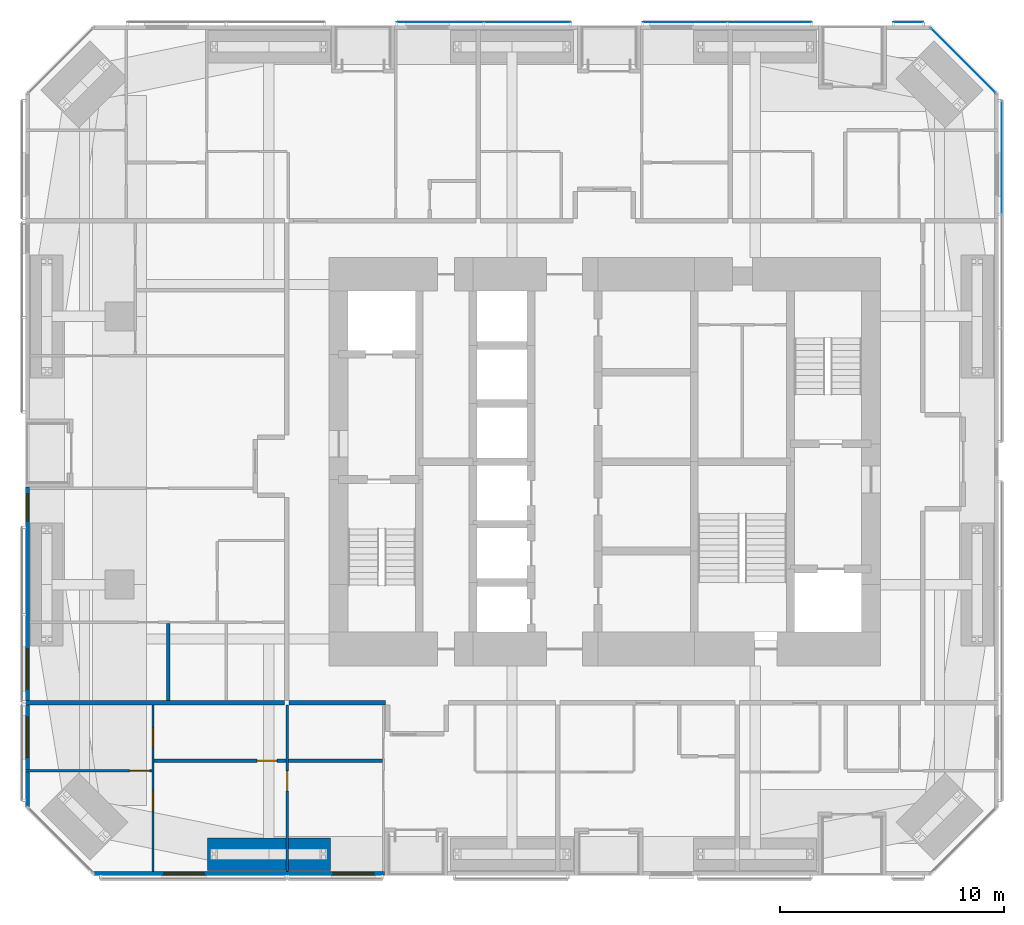
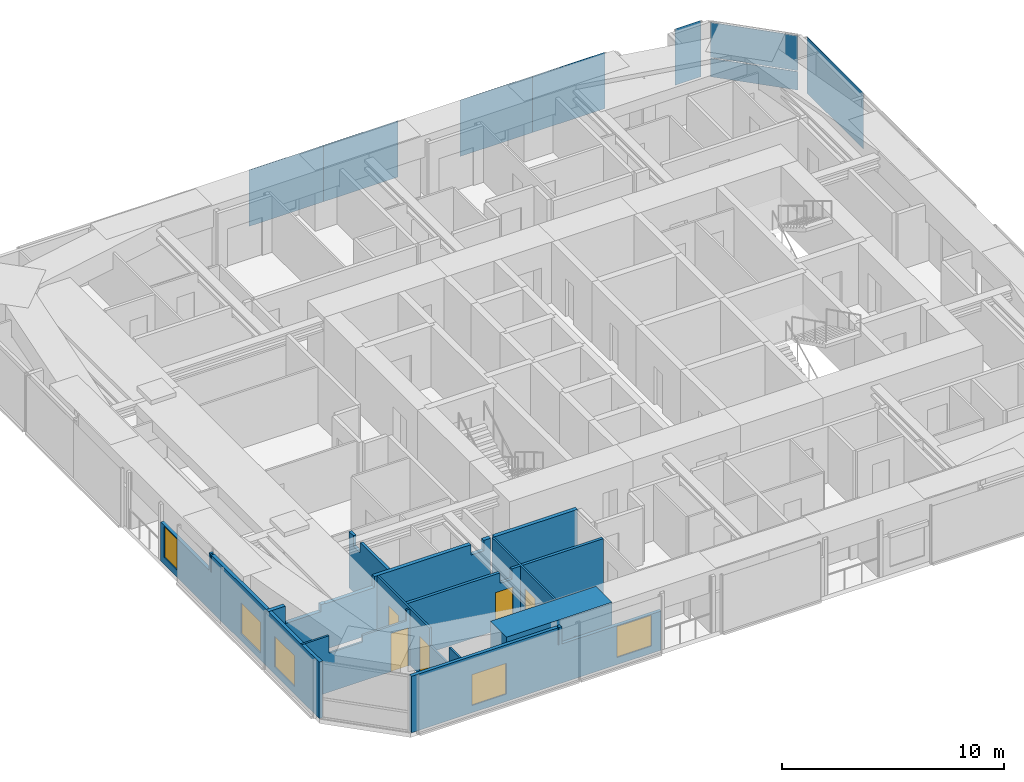
# One storey, part 16 of 24: 11 walls, 8 plates, 5 doors, 5 windows, 10 openings, 5 elements without a shape of their own.
"""IFC4 building model written with IfcOpenShell, lengths in metres."""

from ifc_helpers import new_model, si_unit, direction, frame, frame_2d, origin, origin_2d, place, context, subcontext, project, spatial, polyline, rectangle, outline, extrude, material, layer, layer_set, constituent, constituent_set, type_object, element, fill, aggregate, save


model = new_model("IFC4")

# Units and contexts
model_context = context("Model", 3, precision=1e-05, world=origin(), true_north=direction((0.0, 1.0)))
body_context = subcontext(model_context, "Body", "Model", "MODEL_VIEW")
ifc_project = project(units=[si_unit("LENGTHUNIT", "METRE"), si_unit("AREAUNIT", "SQUARE_METRE"), si_unit("VOLUMEUNIT", "CUBIC_METRE"), si_unit("PLANEANGLEUNIT", "RADIAN"), si_unit("MASSUNIT", "GRAM", prefix="KILO")], contexts=[model_context])

# Site, building, storey
site_placement = place(None, origin())
site = spatial("IfcSite", under=ifc_project, at=site_placement, CompositionType="ELEMENT")
building_placement = place(site_placement, origin())
building = spatial("IfcBuilding", under=site, at=building_placement, Name="Jalousie Tower", CompositionType="ELEMENT")
storey_placement = place(building_placement, frame((0.0, 0.0, 91.449951171875)))
storey = spatial("IfcBuildingStorey", under=building, at=storey_placement, Name="L24", CompositionType="ELEMENT", Elevation=91.449951171875)

# Curtain wall, plates
ifc_material_1 = material(Name="Aluminium curtain wall", Category="aluminium")
curtain_wall_type_1 = type_object("IfcCurtainWallType", Name="CORNER WINDOW WALL", PredefinedType="USERDEFINED", material=ifc_material_1)
curtain_wall_1_placement = place(storey_placement, origin())
curtain_wall_1 = element("IfcCurtainWall", 1, at=curtain_wall_1_placement, inside=storey, type_object=curtain_wall_type_1, Name="Corner Window Wall L24 4", ObjectType="CORNER WINDOW WALL", PredefinedType="USERDEFINED")
ifc_material_2 = material(Name="Laminated impact-rated spandrel glass", Category="glass")
ifc_layer_1 = layer(ifc_material_2, 0.028076171875)
ifc_layer_set_1 = layer_set([ifc_layer_1], Name="Laminated impact-rated spandrel glass")
plate_type_1 = type_object("IfcPlateType", Name="CORNER WINDOW WALL PANEL", PredefinedType="CURTAIN_PANEL", material=ifc_layer_set_1)
plate_1_placement = place(storey_placement, frame((47.9306640625, 36.4306640625, 0.06005859375), z_axis=(0.0, 0.0, 1.0), x_axis=(-0.707106781187, 0.707106781187, 0.0)))
plate_1 = element("IfcPlate", 2, at=plate_1_placement, type_object=plate_type_1, Name="CW-C panel 1.1", PredefinedType="CURTAIN_PANEL", context=body_context, shape_type="SweptSolid", body=[
    extrude(rectangle(XDim=4.071533203125, YDim=0.028076171875, at=origin_2d()), origin(), (0.0, 0.0, 1.0), 1.010009765625),
])
plate_2_placement = place(storey_placement, frame((47.9306640625, 36.4306640625, 1.130126953125), z_axis=(0.0, 0.0, 1.0), x_axis=(-0.707106781187, 0.707106781187, 0.0)))
plate_2 = element("IfcPlate", 3, at=plate_2_placement, type_object=plate_type_1, Name="CW-C panel 1.2", PredefinedType="CURTAIN_PANEL", context=body_context, shape_type="SweptSolid", body=[
    extrude(rectangle(XDim=4.071533203125, YDim=0.028076171875, at=origin_2d()), origin(), (0.0, 0.0, 1.0), 1.919921875),
])
aggregate(curtain_wall_1, [plate_1, plate_2])

# Curtain wall, plate
ifc_material_3 = material(Name="Perforated aluminium sheet", Category="aluminium")
curtain_wall_type_2 = type_object("IfcCurtainWallType", Name="SOLAR SCREEN SS-1", PredefinedType="USERDEFINED", material=ifc_material_3)
curtain_wall_2_placement = place(storey_placement, origin())
curtain_wall_2 = element("IfcCurtainWall", 4, at=curtain_wall_2_placement, inside=storey, type_object=curtain_wall_type_2, Name="Solar screen L24", ObjectType="SOLAR SCREEN SS-1", PredefinedType="USERDEFINED")
ifc_material_4 = material(Name="Perforated aluminium sheet", Category="aluminium")
ifc_layer_2 = layer(ifc_material_4, 0.006103515625)
ifc_layer_set_2 = layer_set([ifc_layer_2], Name="Perforated aluminium sheet")
plate_type_2 = type_object("IfcPlateType", Name="SOLAR SCREEN SS-1 PANEL", PredefinedType="CURTAIN_PANEL", material=ifc_layer_set_2)
plate_3_placement = place(storey_placement, frame((49.650390625, 32.107177734375, 0.0), z_axis=(0.0, 0.0, 1.0), x_axis=(0.0, 1.0, 0.0)))
plate_3 = element("IfcPlate", 5, at=plate_3_placement, type_object=plate_type_2, Name="SS1 perforated panel 3", PredefinedType="CURTAIN_PANEL", context=body_context, shape_type="SweptSolid", body=[
    extrude(rectangle(XDim=5.0830078125, YDim=0.006103515625, at=origin_2d()), origin(), (0.0, 0.0, 1.0), 3.110107421875),
])
aggregate(curtain_wall_2, [plate_3])

curtain_wall_3_placement = place(storey_placement, origin())
curtain_wall_3 = element("IfcCurtainWall", 6, at=curtain_wall_3_placement, inside=storey, type_object=curtain_wall_type_2, Name="Solar screen L24", ObjectType="SOLAR SCREEN SS-1", PredefinedType="USERDEFINED")
plate_4_placement = place(storey_placement, frame((45.4736328125, 38.150390625, 0.0), z_axis=(0.0, 0.0, 1.0), x_axis=(-1.0, 0.0, 0.0)))
plate_4 = element("IfcPlate", 7, at=plate_4_placement, type_object=plate_type_2, Name="SS1 perforated panel 1", PredefinedType="CURTAIN_PANEL", context=body_context, shape_type="SweptSolid", body=[
    extrude(rectangle(XDim=1.35009765625, YDim=0.006103515625, at=origin_2d()), origin(), (0.0, 0.0, 1.0), 3.110107421875),
])
aggregate(curtain_wall_3, [plate_4])

# Curtain wall, plates
curtain_wall_4_placement = place(storey_placement, origin())
curtain_wall_4 = element("IfcCurtainWall", 8, at=curtain_wall_4_placement, inside=storey, type_object=curtain_wall_type_2, Name="Solar screen L24", ObjectType="SOLAR SCREEN SS-1", PredefinedType="USERDEFINED")
plate_5_placement = place(storey_placement, frame((39.261474609375, 38.150390625, 0.0), z_axis=(0.0, 0.0, 1.0), x_axis=(-1.0, 0.0, 0.0)))
plate_5 = element("IfcPlate", 9, at=plate_5_placement, type_object=plate_type_2, Name="SS1 perforated panel 1", PredefinedType="CURTAIN_PANEL", context=body_context, shape_type="SweptSolid", body=[
    extrude(rectangle(XDim=3.7744140625, YDim=0.006103515625, at=origin_2d()), origin(), (0.0, 0.0, 1.0), 3.110107421875),
])
plate_6_placement = place(storey_placement, frame((35.4873046875, 38.150390625, 0.0), z_axis=(0.0, 0.0, 1.0), x_axis=(-1.0, 0.0, 0.0)))
plate_6 = element("IfcPlate", 10, at=plate_6_placement, type_object=plate_type_2, Name="SS1 perforated panel 2", PredefinedType="CURTAIN_PANEL", context=body_context, shape_type="SweptSolid", body=[
    extrude(rectangle(XDim=3.7744140625, YDim=0.006103515625, at=origin_2d()), origin(), (0.0, 0.0, 1.0), 3.110107421875),
])
aggregate(curtain_wall_4, [plate_5, plate_6])

curtain_wall_5_placement = place(storey_placement, origin())
curtain_wall_5 = element("IfcCurtainWall", 11, at=curtain_wall_5_placement, inside=storey, type_object=curtain_wall_type_2, Name="Solar screen L24", ObjectType="SOLAR SCREEN SS-1", PredefinedType="USERDEFINED")
plate_7_placement = place(storey_placement, frame((28.43115234375, 38.150390625, 0.0), z_axis=(0.0, 0.0, 1.0), x_axis=(-1.0, 0.0, 0.0)))
plate_7 = element("IfcPlate", 12, at=plate_7_placement, type_object=plate_type_2, Name="SS1 perforated panel 1", PredefinedType="CURTAIN_PANEL", context=body_context, shape_type="SweptSolid", body=[
    extrude(rectangle(XDim=3.887451171875, YDim=0.006103515625, at=origin_2d()), origin(), (0.0, 0.0, 1.0), 3.110107421875),
])
plate_8_placement = place(storey_placement, frame((24.543701171875, 38.150390625, 0.0), z_axis=(0.0, 0.0, 1.0), x_axis=(-1.0, 0.0, 0.0)))
plate_8 = element("IfcPlate", 13, at=plate_8_placement, type_object=plate_type_2, Name="SS1 perforated panel 2", PredefinedType="CURTAIN_PANEL", context=body_context, shape_type="SweptSolid", body=[
    extrude(rectangle(XDim=3.887451171875, YDim=0.006103515625, at=origin_2d()), origin(), (0.0, 0.0, 1.0), 3.110107421875),
])
aggregate(curtain_wall_5, [plate_7, plate_8])

# Wall, opening, door
ifc_material_5 = material(Name="Concrete block ASTM C90", Category="concrete")
ifc_constituent_1 = constituent(ifc_material_5, Name="Body")
ifc_material_6 = material(Name="Render")
ifc_constituent_2 = constituent(ifc_material_6, Name="Finish")
ifc_constituent_set_1 = constituent_set(constituents=[ifc_constituent_1, ifc_constituent_2])
wall_type_1 = type_object("IfcWallType", Name="BATHROOM WALL 150", PredefinedType="PLUMBINGWALL", material=ifc_constituent_set_1)
wall_1_placement = place(storey_placement, frame((11.75, 5.125, 0.0), z_axis=(0.0, 0.0, 1.0), x_axis=(1.0, 0.0, 0.0)))
wall_1 = element("IfcWall", 14, at=wall_1_placement, inside=storey, type_object=wall_type_1, Name="Bathroom Wall 150 L24", PredefinedType="PLUMBINGWALL", context=body_context, shape_type="SweptSolid", body=[
    extrude(outline(polyline([(0.0, 0.0), (5.89990234375, 0.0), (5.89990234375, 3.110107421875), (5.4375, 3.110107421875), (5.4375, 2.541015625), (4.8125, 2.541015625), (4.8125, 3.110107421875), (0.0, 3.110107421875), (0.0, 0.0)])), frame((0.0, 0.074951171875, 0.0), z_axis=(0.0, -1.0, 0.0), x_axis=(1.0, 0.0, 0.0)), (0.0, 0.0, 1.0), 0.14990234375),
])
opening_1_placement = place(wall_1_placement, frame((4.60009765625, 0.0, 0.0)))
opening_1 = element("IfcOpeningElement", 15, at=opening_1_placement, cuts=wall_1, Name="Opening D3", PredefinedType="OPENING", context=body_context, shape_type="SweptSolid", body=[
    extrude(rectangle(XDim=0.89990234375, YDim=2.10009765625, at=frame_2d((0.449951171875, 1.050048828125))), frame((0.0, 0.0849609375, 0.0), z_axis=(0.0, -1.0, 0.0), x_axis=(1.0, 0.0, 0.0)), (0.0, 0.0, 1.0), 0.169921875),
])
ifc_material_7 = material(Name="Timber door", Category="wood")
door_type_1 = type_object("IfcDoorType", Name="BATHROOM DOOR 900", OperationType="SINGLE_SWING_LEFT", PredefinedType="DOOR", material=ifc_material_7)
door_1_placement = place(opening_1_placement, origin())
door_1 = element("IfcDoor", 16, at=door_1_placement, inside=storey, type_object=door_type_1, Name="Apartment 2401 bedroom 2 bathroom door", OperationType="SINGLE_SWING_RIGHT", OverallHeight=2.10009765625, OverallWidth=0.89990234375, PredefinedType="DOOR", context=body_context, shape_type="SweptSolid", body=[
    extrude(rectangle(XDim=0.89990234375, YDim=2.10009765625, at=frame_2d((0.449951171875, 1.050048828125))), frame((0.0, 0.02490234375, 0.0), z_axis=(0.0, -1.0, 0.0), x_axis=(1.0, 0.0, 0.0)), (0.0, 0.0, 1.0), 0.050048828125),
])
fill(opening_1, door_1)

# Walls
wall_2_placement = place(storey_placement, frame((17.75, 5.125, 0.0), z_axis=(0.0, 0.0, 1.0), x_axis=(1.0, 0.0, 0.0)))
element("IfcWall", 17, at=wall_2_placement, inside=storey, type_object=wall_type_1, Name="Bathroom Wall 150 L24", PredefinedType="PLUMBINGWALL", context=body_context, shape_type="SweptSolid", body=[
    extrude(rectangle(XDim=4.199951171875, YDim=0.14990234375, at=frame_2d((2.10009765625, 0.0))), origin(), (0.0, 0.0, 1.0), 3.110107421875),
])
wall_3_placement = place(storey_placement, frame((12.375, 7.824951171875, 0.0), z_axis=(0.0, 0.0, 1.0), x_axis=(0.0, 1.0, 0.0)))
element("IfcWall", 18, at=wall_3_placement, inside=storey, type_object=wall_type_1, Name="Bathroom Wall 150 L24", PredefinedType="PLUMBINGWALL", context=body_context, shape_type="SweptSolid", body=[
    extrude(outline(polyline([(0.0, 0.0), (3.449951171875, 0.0), (3.449951171875, 3.110107421875), (3.0625, 3.110107421875), (3.0625, 2.541015625), (2.4375, 2.541015625), (2.4375, 3.110107421875), (0.0, 3.110107421875), (0.0, 0.0)])), frame((0.0, 0.074951171875, 0.0), z_axis=(0.0, -1.0, 0.0), x_axis=(1.0, 0.0, 0.0)), (0.0, 0.0, 1.0), 0.14990234375),
])
ifc_material_8 = material(Name="Concrete block ASTM C90", Category="concrete")
ifc_constituent_3 = constituent(ifc_material_8, Name="Body")
ifc_material_9 = material(Name="Render")
ifc_constituent_4 = constituent(ifc_material_9, Name="Finish")
ifc_constituent_set_2 = constituent_set(constituents=[ifc_constituent_3, ifc_constituent_4])
wall_type_2 = type_object("IfcWallType", Name="CORRIDOR WALL 200", PredefinedType="PARTITIONING", material=ifc_constituent_set_2)
wall_4_placement = place(storey_placement, frame((17.77490234375, 7.72509765625, 0.0), z_axis=(0.0, 0.0, 1.0), x_axis=(1.0, 0.0, 0.0)))
element("IfcWall", 19, at=wall_4_placement, inside=storey, type_object=wall_type_2, Name="Corridor Wall 200 L24", PredefinedType="PARTITIONING", context=body_context, shape_type="SweptSolid", body=[
    extrude(rectangle(XDim=4.3251953125, YDim=0.199951171875, at=frame_2d((2.16259765625, 0.0))), origin(), (0.0, 0.0, 1.0), 3.110107421875),
])

# Wall, openings, windows
ifc_material_10 = material(Name="Concrete f'c 40 MPa", Category="concrete")
ifc_constituent_5 = constituent(ifc_material_10, Name="Body")
ifc_material_11 = material(Name="Render, pastel sea green")
ifc_constituent_6 = constituent(ifc_material_11, Name="Finish")
ifc_constituent_set_3 = constituent_set(constituents=[ifc_constituent_5, ifc_constituent_6])
wall_type_3 = type_object("IfcWallType", Name="EXTERNAL WALL 175 SEA GREEN RENDER", PredefinedType="SOLIDWALL", material=ifc_constituent_set_3)
wall_5_placement = place(storey_placement, frame((9.05126953125, 0.08740234375, 0.0), z_axis=(0.0, 0.0, 1.0), x_axis=(1.0, 0.0, 0.0)))
wall_5 = element("IfcWall", 20, at=wall_5_placement, inside=storey, type_object=wall_type_3, Name="External Wall 175 Sea Green Render L24", PredefinedType="SOLIDWALL", context=body_context, shape_type="SweptSolid", body=[
    extrude(outline(polyline([(0.0, 0.0), (12.998779296875, 0.0), (12.998779296875, 2.150146484375), (7.82373046875, 2.150146484375), (7.82373046875, 3.110107421875), (7.66552734375, 3.110107421875), (7.66552734375, 2.150146484375), (7.620361328125, 2.150146484375), (7.620361328125, 3.110107421875), (0.0, 3.110107421875), (0.0, 0.0)])), frame((0.0, 0.08740234375, 0.0), z_axis=(0.0, -1.0, 0.0), x_axis=(1.0, 0.0, 0.0)), (0.0, 0.0, 1.0), 0.175048828125),
])
opening_2_placement = place(wall_5_placement, frame((3.1337890625, 0.0, 0.39990234375)))
opening_2 = element("IfcOpeningElement", 21, at=opening_2_placement, cuts=wall_5, Name="Opening W-BED170", PredefinedType="OPENING", context=body_context, shape_type="SweptSolid", body=[
    extrude(rectangle(XDim=1.800048828125, YDim=1.699951171875, at=frame_2d((0.89990234375, 0.85009765625))), frame((0.0, 0.097412109375, 0.0), z_axis=(0.0, -1.0, 0.0), x_axis=(1.0, 0.0, 0.0)), (0.0, 0.0, 1.0), 0.195068359375),
])
opening_3_placement = place(wall_5_placement, frame((10.706298828125, 0.0, 0.39990234375)))
opening_3 = element("IfcOpeningElement", 22, at=opening_3_placement, cuts=wall_5, Name="Opening W-BED170", PredefinedType="OPENING", context=body_context, shape_type="SweptSolid", body=[
    extrude(rectangle(XDim=1.800048828125, YDim=1.699951171875, at=frame_2d((0.89990234375, 0.85009765625))), frame((0.0, 0.097412109375, 0.0), z_axis=(0.0, -1.0, 0.0), x_axis=(1.0, 0.0, 0.0)), (0.0, 0.0, 1.0), 0.195068359375),
])
ifc_material_12 = material(Name="Aluminium frame, impact-rated glazing", Category="aluminium")
window_type_1 = type_object("IfcWindowType", Name="WINDOW BED 1800x1700", PartitioningType="SINGLE_PANEL", PredefinedType="WINDOW", material=ifc_material_12)
window_1_placement = place(opening_2_placement, origin())
window_1 = element("IfcWindow", 23, at=window_1_placement, inside=storey, type_object=window_type_1, Name="Apartment 2401 bedroom 2 window", OverallHeight=1.699951171875, OverallWidth=1.800048828125, PartitioningType="SINGLE_PANEL", PredefinedType="WINDOW", context=body_context, shape_type="SweptSolid", body=[
    extrude(rectangle(XDim=1.800048828125, YDim=1.699951171875, at=frame_2d((0.89990234375, 0.85009765625))), frame((0.0, 0.030029296875, 0.0), z_axis=(0.0, -1.0, 0.0), x_axis=(1.0, 0.0, 0.0)), (0.0, 0.0, 1.0), 0.06005859375),
])
fill(opening_2, window_1)
window_2_placement = place(opening_3_placement, origin())
window_2 = element("IfcWindow", 24, at=window_2_placement, inside=storey, type_object=window_type_1, Name="Apartment 2401 bedroom 3 window", OverallHeight=1.699951171875, OverallWidth=1.800048828125, PartitioningType="SINGLE_PANEL", PredefinedType="WINDOW", context=body_context, shape_type="SweptSolid", body=[
    extrude(rectangle(XDim=1.800048828125, YDim=1.699951171875, at=frame_2d((0.89990234375, 0.85009765625))), frame((0.0, 0.030029296875, 0.0), z_axis=(0.0, -1.0, 0.0), x_axis=(1.0, 0.0, 0.0)), (0.0, 0.0, 1.0), 0.06005859375),
])
fill(opening_3, window_2)

wall_6_placement = place(storey_placement, frame((6.08740234375, 17.3583984375, 0.0), z_axis=(0.0, 0.0, 1.0), x_axis=(0.0, -1.0, 0.0)))
wall_6 = element("IfcWall", 25, at=wall_6_placement, inside=storey, type_object=wall_type_3, Name="External Wall 175 Sea Green Render L24", PredefinedType="SOLIDWALL", context=body_context, shape_type="SweptSolid", body=[
    extrude(outline(polyline([(0.0, 0.0), (14.30712890625, 0.0), (14.306884765625, 3.110107421875), (4.576904296875, 3.110107421875), (4.576904296875, 2.150146484375), (4.48388671875, 2.150146484375), (4.48388671875, 3.110107421875), (4.3583984375, 3.110107421875), (4.3583984375, 2.150146484375), (0.0, 2.150146484375), (0.0, 0.0)])), frame((0.0, 0.08740234375, 0.0), z_axis=(0.0, -1.0, 0.0), x_axis=(1.0, 0.0, 0.0)), (0.0, 0.0, 1.0), 0.175048828125),
])
opening_4_placement = place(wall_6_placement, frame((0.300048828125, 0.0, 0.39990234375)))
opening_4 = element("IfcOpeningElement", 26, at=opening_4_placement, cuts=wall_6, Name="Opening W-COR170", PredefinedType="OPENING", context=body_context, shape_type="SweptSolid", body=[
    extrude(rectangle(XDim=1.199951171875, YDim=1.699951171875, at=frame_2d((0.60009765625, 0.85009765625))), frame((0.0, 0.097412109375, 0.0), z_axis=(0.0, -1.0, 0.0), x_axis=(1.0, 0.0, 0.0)), (0.0, 0.0, 1.0), 0.195068359375),
])
opening_5_placement = place(wall_6_placement, frame((7.2333984375, 0.0, 0.39990234375)))
opening_5 = element("IfcOpeningElement", 27, at=opening_5_placement, cuts=wall_6, Name="Opening W-BED170", PredefinedType="OPENING", context=body_context, shape_type="SweptSolid", body=[
    extrude(rectangle(XDim=1.800048828125, YDim=1.699951171875, at=frame_2d((0.89990234375, 0.85009765625))), frame((0.0, 0.097412109375, 0.0), z_axis=(0.0, -1.0, 0.0), x_axis=(1.0, 0.0, 0.0)), (0.0, 0.0, 1.0), 0.195068359375),
])
opening_6_placement = place(wall_6_placement, frame((10.282958984375, 0.0, 0.39990234375)))
opening_6 = element("IfcOpeningElement", 28, at=opening_6_placement, cuts=wall_6, Name="Opening W-BED170", PredefinedType="OPENING", context=body_context, shape_type="SweptSolid", body=[
    extrude(rectangle(XDim=1.800048828125, YDim=1.699951171875, at=frame_2d((0.89990234375, 0.85009765625))), frame((0.0, 0.097412109375, 0.0), z_axis=(0.0, -1.0, 0.0), x_axis=(1.0, 0.0, 0.0)), (0.0, 0.0, 1.0), 0.195068359375),
])
window_3_placement = place(opening_5_placement, origin())
window_3 = element("IfcWindow", 29, at=window_3_placement, inside=storey, type_object=window_type_1, Name="Apartment 2407 bedroom 1 window", OverallHeight=1.699951171875, OverallWidth=1.800048828125, PartitioningType="SINGLE_PANEL", PredefinedType="WINDOW", context=body_context, shape_type="SweptSolid", body=[
    extrude(rectangle(XDim=1.800048828125, YDim=1.699951171875, at=frame_2d((0.89990234375, 0.85009765625))), frame((0.0, 0.030029296875, 0.0), z_axis=(0.0, -1.0, 0.0), x_axis=(1.0, 0.0, 0.0)), (0.0, 0.0, 1.0), 0.06005859375),
])
fill(opening_5, window_3)
window_4_placement = place(opening_6_placement, origin())
window_4 = element("IfcWindow", 30, at=window_4_placement, inside=storey, type_object=window_type_1, Name="Apartment 2401 bedroom 1 window", OverallHeight=1.699951171875, OverallWidth=1.800048828125, PartitioningType="SINGLE_PANEL", PredefinedType="WINDOW", context=body_context, shape_type="SweptSolid", body=[
    extrude(rectangle(XDim=1.800048828125, YDim=1.699951171875, at=frame_2d((0.89990234375, 0.85009765625))), frame((0.0, 0.030029296875, 0.0), z_axis=(0.0, -1.0, 0.0), x_axis=(1.0, 0.0, 0.0)), (0.0, 0.0, 1.0), 0.06005859375),
])
fill(opening_6, window_4)
ifc_material_13 = material(Name="Aluminium frame, impact-rated glazing", Category="aluminium")
window_type_2 = type_object("IfcWindowType", Name="WINDOW COR 1200x1700", PartitioningType="SINGLE_PANEL", PredefinedType="WINDOW", material=ifc_material_13)
window_5_placement = place(opening_4_placement, origin())
window_5 = element("IfcWindow", 31, at=window_5_placement, inside=storey, type_object=window_type_2, Name="Apartment 2407 dining room window", OverallHeight=1.699951171875, OverallWidth=1.199951171875, PartitioningType="SINGLE_PANEL", PredefinedType="WINDOW", context=body_context, shape_type="SweptSolid", body=[
    extrude(rectangle(XDim=1.199951171875, YDim=1.699951171875, at=frame_2d((0.60009765625, 0.85009765625))), frame((0.0, 0.030029296875, 0.0), z_axis=(0.0, -1.0, 0.0), x_axis=(1.0, 0.0, 0.0)), (0.0, 0.0, 1.0), 0.06005859375),
])
fill(opening_4, window_5)

# Wall, openings, doors
ifc_material_14 = material(Name="Gypsum board", Category="gypsum")
ifc_constituent_7 = constituent(ifc_material_14, Name="Body")
ifc_material_15 = material(Name="Light-gauge steel studs ASTM A653 SS Grade 33", Category="steel")
ifc_constituent_8 = constituent(ifc_material_15, Name="Framing")
ifc_constituent_set_4 = constituent_set(constituents=[ifc_constituent_7, ifc_constituent_8])
wall_type_4 = type_object("IfcWallType", Name="PARTITION 100", PredefinedType="PARTITIONING", material=ifc_constituent_set_4)
wall_7_placement = place(storey_placement, frame((11.699951171875, 0.175048828125, 0.0), z_axis=(0.0, 0.0, 1.0), x_axis=(0.0, 1.0, 0.0)))
wall_7 = element("IfcWall", 32, at=wall_7_placement, inside=storey, type_object=wall_type_4, Name="Partition 100 L24", PredefinedType="PARTITIONING", context=body_context, shape_type="SweptSolid", body=[
    extrude(outline(polyline([(0.0, 0.0), (7.449951171875, 0.0), (7.449951171875, 3.110107421875), (2.708251953125, 3.110107421875), (2.708251953125, 2.150146484375), (0.952880859375, 2.150146484375), (0.952880859375, 3.110107421875), (0.0, 3.110107421875), (0.0, 0.0)])), frame((0.0, 0.050048828125, 0.0), z_axis=(0.0, -1.0, 0.0), x_axis=(1.0, 0.0, 0.0)), (0.0, 0.0, 1.0), 0.10009765625),
])
opening_7_placement = place(wall_7_placement, frame((2.700927734375, 0.0, 0.0)))
opening_7 = element("IfcOpeningElement", 33, at=opening_7_placement, cuts=wall_7, Name="Opening D2", PredefinedType="OPENING", context=body_context, shape_type="SweptSolid", body=[
    extrude(rectangle(XDim=0.89990234375, YDim=2.10009765625, at=frame_2d((0.449951171875, 1.050048828125))), frame((0.0, 0.06005859375, 0.0), z_axis=(0.0, -1.0, 0.0), x_axis=(1.0, 0.0, 0.0)), (0.0, 0.0, 1.0), 0.1201171875),
])
opening_8_placement = place(wall_7_placement, frame((5.525390625, 0.0, 0.0)))
opening_8 = element("IfcOpeningElement", 34, at=opening_8_placement, cuts=wall_7, Name="Opening D3", PredefinedType="OPENING", context=body_context, shape_type="SweptSolid", body=[
    extrude(rectangle(XDim=0.89990234375, YDim=2.10009765625, at=frame_2d((0.449951171875, 1.050048828125))), frame((0.0, 0.06005859375, 0.0), z_axis=(0.0, -1.0, 0.0), x_axis=(1.0, 0.0, 0.0)), (0.0, 0.0, 1.0), 0.1201171875),
])
door_2_placement = place(opening_8_placement, frame((0.89990234375, 0.0, 0.0), z_axis=(0.0, 0.0, 1.0), x_axis=(-1.0, 0.0, 0.0)))
door_2 = element("IfcDoor", 35, at=door_2_placement, inside=storey, type_object=door_type_1, Name="Apartment 2401 bedroom 1 bathroom door", OperationType="SINGLE_SWING_RIGHT", OverallHeight=2.10009765625, OverallWidth=0.89990234375, PredefinedType="DOOR", context=body_context, shape_type="SweptSolid", body=[
    extrude(rectangle(XDim=0.89990234375, YDim=2.10009765625, at=frame_2d((0.449951171875, 1.050048828125))), frame((0.0, 0.02490234375, 0.0), z_axis=(0.0, -1.0, 0.0), x_axis=(1.0, 0.0, 0.0)), (0.0, 0.0, 1.0), 0.050048828125),
])
fill(opening_8, door_2)
ifc_material_16 = material(Name="Timber door", Category="wood")
door_type_2 = type_object("IfcDoorType", Name="BEDROOM DOOR 900", OperationType="SINGLE_SWING_LEFT", PredefinedType="DOOR", material=ifc_material_16)
door_3_placement = place(opening_7_placement, frame((0.89990234375, 0.0, 0.0), z_axis=(0.0, 0.0, 1.0), x_axis=(-1.0, 0.0, 0.0)))
door_3 = element("IfcDoor", 36, at=door_3_placement, inside=storey, type_object=door_type_2, Name="Apartment 2401 bedroom 1 door", OperationType="SINGLE_SWING_LEFT", OverallHeight=2.10009765625, OverallWidth=0.89990234375, PredefinedType="DOOR", context=body_context, shape_type="SweptSolid", body=[
    extrude(rectangle(XDim=0.89990234375, YDim=2.10009765625, at=frame_2d((0.449951171875, 1.050048828125))), frame((0.0, 0.02490234375, 0.0), z_axis=(0.0, -1.0, 0.0), x_axis=(1.0, 0.0, 0.0)), (0.0, 0.0, 1.0), 0.050048828125),
])
fill(opening_7, door_3)

# Wall, opening, door
wall_8_placement = place(storey_placement, frame((17.699951171875, 0.175048828125, 0.0), z_axis=(0.0, 0.0, 1.0), x_axis=(0.0, 1.0, 0.0)))
wall_8 = element("IfcWall", 37, at=wall_8_placement, inside=storey, type_object=wall_type_4, Name="Partition 100 L24", PredefinedType="PARTITIONING", context=body_context, shape_type="SweptSolid", body=[
    extrude(outline(polyline([(1.635009765625, 2.150146484375), (0.0, 2.150146484375), (0.0, 0.0), (7.449951171875, 0.0), (7.449951171875, 3.110107421875), (1.635009765625, 3.110107421875), (1.635009765625, 2.150146484375)]), holes=[polyline([(1.021240234375, 0.115966796875), (0.52880859375, 0.115966796875), (0.52880859375, 0.906005859375), (1.021240234375, 0.906005859375), (1.021240234375, 0.115966796875)]), polyline([(1.021240234375, 1.244140625), (0.52880859375, 1.244140625), (0.52880859375, 2.033935546875), (1.021240234375, 2.033935546875), (1.021240234375, 1.244140625)])]), frame((0.0, 0.050048828125, 0.0), z_axis=(0.0, -1.0, 0.0), x_axis=(1.0, 0.0, 0.0)), (0.0, 0.0, 1.0), 0.10009765625),
])
opening_9_placement = place(wall_8_placement, frame((3.60009765625, 0.0, 0.0)))
opening_9 = element("IfcOpeningElement", 38, at=opening_9_placement, cuts=wall_8, Name="Opening D2", PredefinedType="OPENING", context=body_context, shape_type="SweptSolid", body=[
    extrude(rectangle(XDim=0.89990234375, YDim=2.10009765625, at=frame_2d((0.449951171875, 1.050048828125))), frame((0.0, 0.06005859375, 0.0), z_axis=(0.0, -1.0, 0.0), x_axis=(1.0, 0.0, 0.0)), (0.0, 0.0, 1.0), 0.1201171875),
])
door_4_placement = place(opening_9_placement, origin())
door_4 = element("IfcDoor", 39, at=door_4_placement, inside=storey, type_object=door_type_2, Name="Apartment 2401 bedroom 2 door", OperationType="SINGLE_SWING_RIGHT", OverallHeight=2.10009765625, OverallWidth=0.89990234375, PredefinedType="DOOR", context=body_context, shape_type="SweptSolid", body=[
    extrude(rectangle(XDim=0.89990234375, YDim=2.10009765625, at=frame_2d((0.449951171875, 1.050048828125))), frame((0.0, 0.02490234375, 0.0), z_axis=(0.0, -1.0, 0.0), x_axis=(1.0, 0.0, 0.0)), (0.0, 0.0, 1.0), 0.050048828125),
])
fill(opening_9, door_4)

wall_9_placement = place(storey_placement, frame((6.0, 4.67578125, 0.0), z_axis=(0.0, 0.0, 1.0), x_axis=(1.0, 0.0, 0.0)))
wall_9 = element("IfcWall", 40, at=wall_9_placement, inside=storey, type_object=wall_type_4, Name="Partition 100 L24", PredefinedType="PARTITIONING", context=body_context, shape_type="SweptSolid", body=[
    extrude(outline(polyline([(0.0, 0.0), (5.64990234375, 0.0), (5.64990234375, 3.110107421875), (5.4599609375, 3.110107421875), (5.4599609375, 2.510009765625), (3.171142578125, 2.510009765625), (3.171142578125, 2.150146484375), (1.4287109375, 2.150146484375), (1.4287109375, 3.110107421875), (0.0, 3.110107421875), (0.0, 0.0)])), frame((0.0, 0.050048828125, 0.0), z_axis=(0.0, -1.0, 0.0), x_axis=(1.0, 0.0, 0.0)), (0.0, 0.0, 1.0), 0.10009765625),
])
opening_10_placement = place(wall_9_placement, frame((4.64990234375, 0.0, 0.0)))
opening_10 = element("IfcOpeningElement", 41, at=opening_10_placement, cuts=wall_9, Name="Opening D7", PredefinedType="OPENING", context=body_context, shape_type="SweptSolid", body=[
    extrude(rectangle(XDim=0.89990234375, YDim=2.10009765625, at=frame_2d((0.449951171875, 1.050048828125))), frame((0.0, 0.06005859375, 0.0), z_axis=(0.0, -1.0, 0.0), x_axis=(1.0, 0.0, 0.0)), (0.0, 0.0, 1.0), 0.1201171875),
])
ifc_material_17 = material(Name="Timber door", Category="wood")
door_type_3 = type_object("IfcDoorType", Name="INTERNAL DOOR 900", OperationType="SINGLE_SWING_LEFT", PredefinedType="DOOR", material=ifc_material_17)
door_5_placement = place(opening_10_placement, origin())
door_5 = element("IfcDoor", 42, at=door_5_placement, inside=storey, type_object=door_type_3, Name="Apartment 2401 bedroom 1 dressing hall door", OperationType="SINGLE_SWING_RIGHT", OverallHeight=2.10009765625, OverallWidth=0.89990234375, PredefinedType="DOOR", context=body_context, shape_type="SweptSolid", body=[
    extrude(rectangle(XDim=0.89990234375, YDim=2.10009765625, at=frame_2d((0.449951171875, 1.050048828125))), frame((0.0, 0.02490234375, 0.0), z_axis=(0.0, -1.0, 0.0), x_axis=(1.0, 0.0, 0.0)), (0.0, 0.0, 1.0), 0.050048828125),
])
fill(opening_10, door_5)

# Walls
ifc_material_18 = material(Name="Concrete block ASTM C90", Category="concrete")
ifc_constituent_9 = constituent(ifc_material_18, Name="Body")
ifc_material_19 = material(Name="Render")
ifc_constituent_10 = constituent(ifc_material_19, Name="Finish")
ifc_constituent_set_5 = constituent_set(constituents=[ifc_constituent_9, ifc_constituent_10])
wall_type_5 = type_object("IfcWallType", Name="PARTY WALL 200", PredefinedType="PARTITIONING", material=ifc_constituent_set_5)
wall_10_placement = place(storey_placement, frame((6.0, 7.72509765625, 0.0), z_axis=(0.0, 0.0, 1.0), x_axis=(1.0, 0.0, 0.0)))
element("IfcWall", 43, at=wall_10_placement, inside=storey, type_object=wall_type_5, Name="Party Wall 200 L24", PredefinedType="PARTITIONING", context=body_context, shape_type="SweptSolid", body=[
    extrude(outline(polyline([(0.0, 0.0), (11.574951171875, 0.0), (11.574951171875, 3.110107421875), (11.21240234375, 3.110107421875), (11.21240234375, 2.541015625), (10.53759765625, 2.541015625), (10.53759765625, 3.110107421875), (5.510009765625, 3.110107421875), (5.510009765625, 2.510009765625), (2.96875, 2.510009765625), (2.96875, 2.541015625), (2.727294921875, 2.541015625), (2.727294921875, 2.150146484375), (0.883544921875, 2.150146484375), (0.883544921875, 3.110107421875), (0.0, 3.110107421875), (0.0, 0.0)])), frame((0.0, 0.10009765625, 0.0), z_axis=(0.0, -1.0, 0.0), x_axis=(1.0, 0.0, 0.0)), (0.0, 0.0, 1.0), 0.199951171875),
])
ifc_material_20 = material(Name="Concrete f'c 120 MPa", Category="concrete")
ifc_layer_3 = layer(ifc_material_20, 1.449951171875)
ifc_layer_set_3 = layer_set([ifc_layer_3], Name="Concrete f'c 120 MPa")
wall_type_6 = type_object("IfcWallType", Name="RC WALL PIER 1450", PredefinedType="SHEAR", material=ifc_layer_set_3)
wall_11_placement = place(storey_placement, frame((14.125, 0.949951171875, 0.0), z_axis=(0.0, 0.0, 1.0), x_axis=(1.0, 0.0, 0.0)))
element("IfcWall", 44, at=wall_11_placement, inside=storey, type_object=wall_type_6, Name="Wall pier 02 L24", PredefinedType="SHEAR", context=body_context, shape_type="SweptSolid", body=[
    extrude(rectangle(XDim=5.5, YDim=1.449951171875, at=frame_2d((2.75, 0.0))), origin(), (0.0, 0.0, 1.0), 3.35009765625),
])

save(model, "model.ifc")
